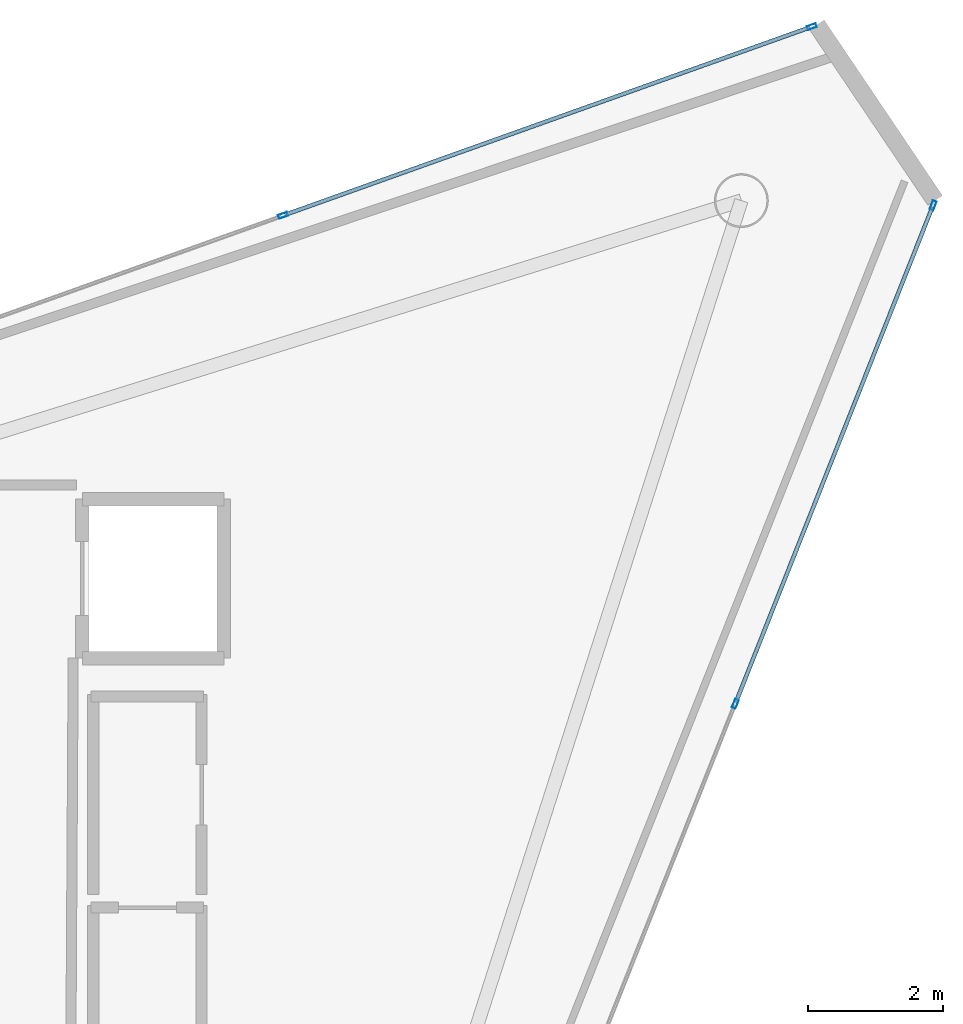
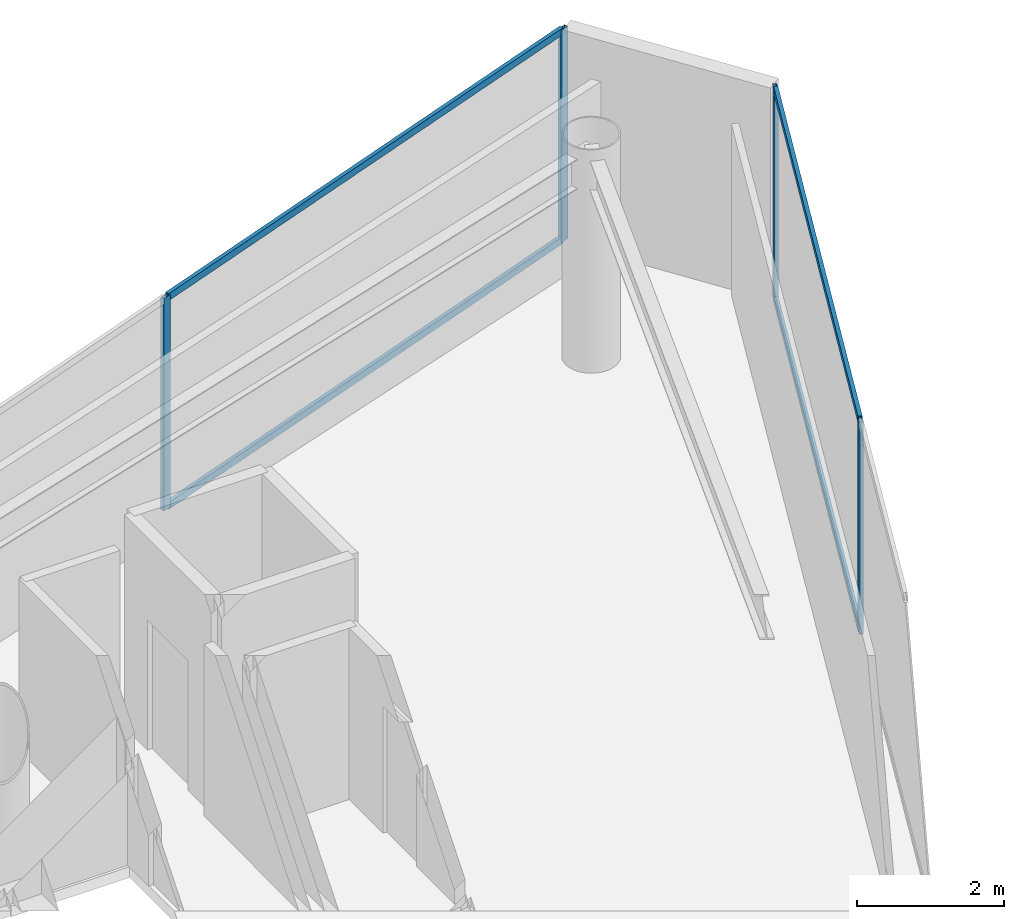
# One storey, part 14 of 18: 8 members, 2 elements without a shape of their own.
"""IFC4 building model written with IfcOpenShell, lengths in metres."""

from ifc_helpers import new_model, si_unit, direction, frame, origin, origin_2d, place, context, subcontext, project, spatial, hollow_rectangle, extrude, material, layer, layer_set, material_profile, profile_set, type_object, element, aggregate, save


model = new_model("IFC4")

# Units and contexts
model_context = context("Model", 3, precision=1e-05, world=origin(), true_north=direction((0.0, 1.0)))
body_context = subcontext(model_context, "Body", "Model", "MODEL_VIEW")
ifc_project = project(units=[si_unit("LENGTHUNIT", "METRE"), si_unit("AREAUNIT", "SQUARE_METRE"), si_unit("VOLUMEUNIT", "CUBIC_METRE"), si_unit("PLANEANGLEUNIT", "RADIAN"), si_unit("MASSUNIT", "GRAM", prefix="KILO")], contexts=[model_context])

# Site, building, storey
site_placement = place(None, origin())
site = spatial("IfcSite", under=ifc_project, at=site_placement, CompositionType="ELEMENT")
building_placement = place(site_placement, origin())
building = spatial("IfcBuilding", under=site, at=building_placement, Name="Qianvela Tower", CompositionType="ELEMENT")
storey_placement = place(building_placement, frame((0.0, 0.0, 337.0)))
storey = spatial("IfcBuildingStorey", under=building, at=storey_placement, Name="L87", CompositionType="ELEMENT", Elevation=337.0)

# Curtain wall, members
ifc_material_1 = material(Name="Anodised Architectural Aluminium and Low-E Glass", Category="aluminium")
ifc_layer = layer(ifc_material_1, 0.14990234375)
ifc_layer_set = layer_set([ifc_layer], Name="Anodised Architectural Aluminium and Low-E Glass")
curtain_wall_type = type_object("IfcCurtainWallType", Name="CW-COLIV-Z78", PredefinedType="USERDEFINED", material=ifc_layer_set)
curtain_wall_1_placement = place(storey_placement, origin())
curtain_wall_1 = element("IfcCurtainWall", 1, at=curtain_wall_1_placement, inside=storey, type_object=curtain_wall_type, Name="L87 CW-COLIV-Z78 Curtain Wall 02A", ObjectType="CURTAIN_WALL_SYSTEM", PredefinedType="USERDEFINED")
ifc_material_2 = material(Name="Anodised Architectural Aluminium 6063-T6", Category="aluminium")
ifc_material_profile_1 = material_profile(ifc_material_2, hollow_rectangle(XDim=0.06005859375, YDim=0.139892578125, WallThickness=0.00439453125, at=origin_2d()), Name="ALU-MULL-60x140")
ifc_profile_set_1 = profile_set([ifc_material_profile_1], Name="Anodised Architectural Aluminium 6063-T6")
member_type_1 = type_object("IfcMemberType", Name="CW-COLIV-Z78-MULL", PredefinedType="MULLION", material=ifc_profile_set_1)
member_1_placement = place(storey_placement, frame((52.271728515625, 42.2880859375, 0.0), z_axis=(0.0, 0.0, 1.0), x_axis=(0.336225762374, -0.941781416634, 0.0)))
member_1 = element("IfcMember", 2, at=member_1_placement, type_object=member_type_1, Name="CW-6 mullion 1", PredefinedType="MULLION", context=body_context, shape_type="SweptSolid", body=[
    extrude(hollow_rectangle(XDim=0.06005859375, YDim=0.139892578125, WallThickness=0.00439453125, at=origin_2d()), origin(), (0.0, 0.0, 1.0), 3.52001953125),
])
member_2_placement = place(storey_placement, frame((44.4267578125, 39.4873046875, 0.0), z_axis=(0.0, 0.0, 1.0), x_axis=(0.336225762374, -0.941781416634, 0.0)))
member_2 = element("IfcMember", 3, at=member_2_placement, type_object=member_type_1, Name="CW-6 mullion 2", PredefinedType="MULLION", context=body_context, shape_type="SweptSolid", body=[
    extrude(hollow_rectangle(XDim=0.06005859375, YDim=0.139892578125, WallThickness=0.00439453125, at=origin_2d()), origin(), (0.0, 0.0, 1.0), 3.52001953125),
])

curtain_wall_2_placement = place(storey_placement, origin())
curtain_wall_2 = element("IfcCurtainWall", 4, at=curtain_wall_2_placement, inside=storey, type_object=curtain_wall_type, Name="L87 CW-COLIV-Z78 Curtain Wall 06C", ObjectType="CURTAIN_WALL_SYSTEM", PredefinedType="USERDEFINED")
member_3_placement = place(storey_placement, frame((51.137451171875, 32.2421875, 0.0), z_axis=(0.0, 0.0, 1.0), x_axis=(-0.929473810274, 0.368888107717, 0.0)))
member_3 = element("IfcMember", 5, at=member_3_placement, type_object=member_type_1, Name="CW-6 mullion 2", PredefinedType="MULLION", context=body_context, shape_type="SweptSolid", body=[
    extrude(hollow_rectangle(XDim=0.06005859375, YDim=0.139892578125, WallThickness=0.00439453125, at=origin_2d()), origin(), (0.0, 0.0, 1.0), 3.52001953125),
])
member_4_placement = place(storey_placement, frame((54.072265625, 39.63671875, 0.0), z_axis=(0.0, 0.0, 1.0), x_axis=(-0.929473810274, 0.368888107717, 0.0)))
member_4 = element("IfcMember", 6, at=member_4_placement, type_object=member_type_1, Name="CW-6 mullion 3", PredefinedType="MULLION", context=body_context, shape_type="SweptSolid", body=[
    extrude(hollow_rectangle(XDim=0.06005859375, YDim=0.139892578125, WallThickness=0.00439453125, at=origin_2d()), origin(), (0.0, 0.0, 1.0), 3.52001953125),
])

# Member
ifc_material_3 = material(Name="Anodised Architectural Aluminium 6063-T6", Category="aluminium")
ifc_material_profile_2 = material_profile(ifc_material_3, hollow_rectangle(XDim=0.06005859375, YDim=0.114990234375, WallThickness=0.00390625, at=origin_2d()), Name="ALU-TRAN-60x115")
ifc_profile_set_2 = profile_set([ifc_material_profile_2], Name="Anodised Architectural Aluminium 6063-T6")
member_type_2 = type_object("IfcMemberType", Name="CW-COLIV-Z78-TRAN", PredefinedType="USERDEFINED", material=ifc_profile_set_2)
member_5_placement = place(storey_placement, frame((52.243408203125, 42.27783203125, 0.030029296875), z_axis=(-0.941784649588, -0.336216706606, 0.0), x_axis=(0.336216706606, -0.941784649588, 0.0)))
member_5 = element("IfcMember", 7, at=member_5_placement, type_object=member_type_2, Name="CW-6 transom 1.1", ObjectType="TRANSOM", PredefinedType="USERDEFINED", context=body_context, shape_type="SweptSolid", body=[
    extrude(hollow_rectangle(XDim=0.06005859375, YDim=0.114990234375, WallThickness=0.00390625, at=origin_2d()), origin(), (0.0, 0.0, 1.0), 8.27001953125),
])

member_6_placement = place(storey_placement, frame((52.243408203125, 42.27783203125, 3.489990234375), z_axis=(-0.941784649588, -0.336216706606, 0.0), x_axis=(0.336216706606, -0.941784649588, 0.0)))
member_6 = element("IfcMember", 8, at=member_6_placement, type_object=member_type_2, Name="CW-6 transom 1.2", ObjectType="TRANSOM", PredefinedType="USERDEFINED", context=body_context, shape_type="SweptSolid", body=[
    extrude(hollow_rectangle(XDim=0.06005859375, YDim=0.114990234375, WallThickness=0.00390625, at=origin_2d()), origin(), (0.0, 0.0, 1.0), 8.27001953125),
])

aggregate(curtain_wall_1, [member_1, member_2, member_5, member_6])

member_7_placement = place(storey_placement, frame((51.148681640625, 32.27001953125, 0.030029296875), z_axis=(0.368883682868, 0.929475566389, 0.0), x_axis=(-0.929475566389, 0.368883682868, 0.0)))
member_7 = element("IfcMember", 9, at=member_7_placement, type_object=member_type_2, Name="CW-6 transom 2.1", ObjectType="TRANSOM", PredefinedType="USERDEFINED", context=body_context, shape_type="SweptSolid", body=[
    extrude(hollow_rectangle(XDim=0.06005859375, YDim=0.114990234375, WallThickness=0.00390625, at=origin_2d()), origin(), (0.0, 0.0, 1.0), 7.895751953125),
])

member_8_placement = place(storey_placement, frame((51.148681640625, 32.27001953125, 3.489990234375), z_axis=(0.368883682868, 0.929475566389, 0.0), x_axis=(-0.929475566389, 0.368883682868, 0.0)))
member_8 = element("IfcMember", 10, at=member_8_placement, type_object=member_type_2, Name="CW-6 transom 2.2", ObjectType="TRANSOM", PredefinedType="USERDEFINED", context=body_context, shape_type="SweptSolid", body=[
    extrude(hollow_rectangle(XDim=0.06005859375, YDim=0.114990234375, WallThickness=0.00390625, at=origin_2d()), origin(), (0.0, 0.0, 1.0), 7.895751953125),
])

aggregate(curtain_wall_2, [member_3, member_4, member_7, member_8])

save(model, "model.ifc")
